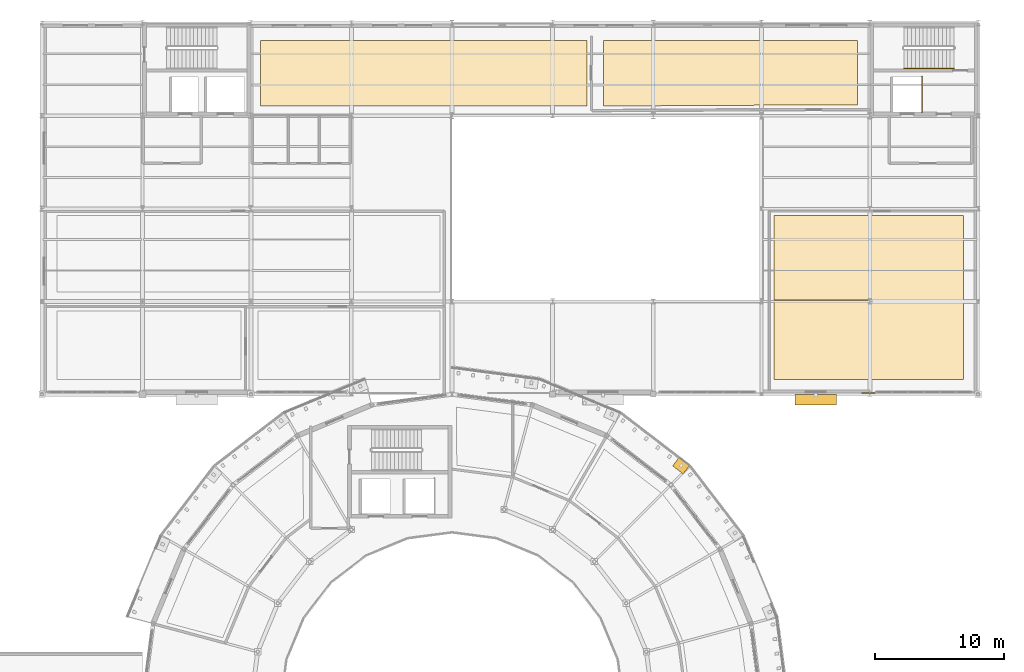
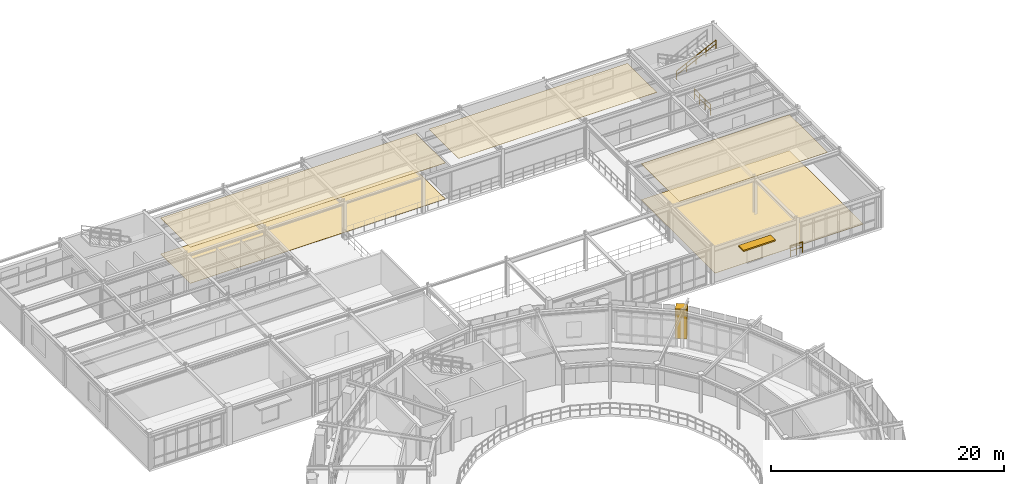
# One storey, part 69 of 70: 5 coverings, 3 railings, 2 shading devices.
"""IFC4 building model written with IfcOpenShell, lengths in metres."""

import ifcopenshell
import ifcopenshell.guid

model = None  # the IFC model being written
_history = None  # IfcOwnerHistory: only IFC2X3 demands one
_inside = {}  # id of a spatial element -> (the spatial element, [elements in it])
_under = {}  # id of a project, library or spatial element -> (it, [spatial elements below it])
_declared = {}  # id of a project -> (the project, [libraries it declares])
_typed = {}  # id of a type object -> (the type object, [elements of that type])
_made_of = {}  # id of a material, layer set ... -> (it, [elements and type objects made of it])


def new_model(schema):
    """Start an empty IFC model of exactly this schema.

    Asked for "IFC4X3", IfcOpenShell would pick the latest addendum, in which some entities
    have other attributes; the version numbers below select the first issue.
    IFC2X3 requires an IfcOwnerHistory on every rooted entity: one is made here for all.
    """
    global model, _history
    if schema == "IFC4X3":
        model = ifcopenshell.file(schema_version=(4, 3, 0, 0))
    else:
        model = ifcopenshell.file(schema=schema)
    _inside.clear()
    _under.clear()
    _declared.clear()
    _typed.clear()
    _made_of.clear()
    _history = None
    if model.schema == "IFC2X3":
        org = make("IfcOrganization", Name="unknown")
        user = make(
            "IfcPersonAndOrganization",
            ThePerson=make("IfcPerson", FamilyName="unknown"),
            TheOrganization=org,
        )
        app = make(
            "IfcApplication",
            ApplicationDeveloper=org,
            Version="unknown",
            ApplicationFullName="unknown",
            ApplicationIdentifier="unknown",
        )
        _history = make(
            "IfcOwnerHistory",
            OwningUser=user,
            OwningApplication=app,
            ChangeAction="ADDED",
            CreationDate=0,
        )
    return model


def make(cls, **values):
    """One entity of the class cls with the attributes given. An attribute that is None is left unset."""
    return model.create_entity(
        cls, **{name: value for name, value in values.items() if value is not None}
    )


def rooted(cls, **values):
    """An entity with a GlobalId (a new one), such as an element, a storey or a relation."""
    return make(cls, GlobalId=ifcopenshell.guid.new(), OwnerHistory=_history, **values)


def si_unit(unit_type, name, prefix=None):
    """IfcSIUnit, for example si_unit("LENGTHUNIT", "METRE", prefix="MILLI")."""
    return make("IfcSIUnit", UnitType=unit_type, Prefix=prefix, Name=name)


def derived_unit(unit_type, elements):
    """IfcDerivedUnit: a product of units, each with its exponent."""
    return make(
        "IfcDerivedUnit",
        Elements=[
            make("IfcDerivedUnitElement", Unit=unit, Exponent=power)
            for unit, power in elements
        ],
        UnitType=unit_type,
    )


def assignment(units):
    """IfcUnitAssignment: the units of a project."""
    return None if units is None else make("IfcUnitAssignment", Units=units)


def point(xyz):
    """IfcCartesianPoint."""
    return None if xyz is None else make("IfcCartesianPoint", Coordinates=xyz)


def direction(xyz):
    """IfcDirection."""
    return None if xyz is None else make("IfcDirection", DirectionRatios=xyz)


def frame(location, z_axis=None, x_axis=None):
    """IfcAxis2Placement3D, a coordinate frame: its origin and axes. An axis left out is left unset."""
    return make(
        "IfcAxis2Placement3D",
        Location=point(location),
        Axis=direction(z_axis),
        RefDirection=direction(x_axis),
    )


def frame_2d(location, x_axis=None):
    """IfcAxis2Placement2D, a coordinate frame in the plane: its origin and x axis."""
    return make(
        "IfcAxis2Placement2D", Location=point(location), RefDirection=direction(x_axis)
    )


def origin():
    """The frame at (0, 0, 0) with its axes left unset."""
    return frame((0.0, 0.0, 0.0))


def origin_2d():
    """The frame at (0, 0) in the plane with its x axis left unset."""
    return frame_2d((0.0, 0.0))


def place(relative_to, where):
    """IfcLocalPlacement: puts the frame where relative to a parent placement (None: the world)."""
    return make(
        "IfcLocalPlacement", PlacementRelTo=relative_to, RelativePlacement=where
    )


def context(
    kind, dimensions, precision=None, world=None, true_north=None, identifier=None
):
    """IfcGeometricRepresentationContext, for example the 3D "Model" context."""
    return make(
        "IfcGeometricRepresentationContext",
        ContextIdentifier=identifier,
        ContextType=kind,
        CoordinateSpaceDimension=dimensions,
        Precision=precision,
        WorldCoordinateSystem=world,
        TrueNorth=true_north,
    )


def subcontext(parent, identifier, kind, view, scale=None):
    """IfcGeometricRepresentationSubContext, for example "Body" below "Model"."""
    return make(
        "IfcGeometricRepresentationSubContext",
        ContextIdentifier=identifier,
        ContextType=kind,
        ParentContext=parent,
        TargetScale=scale,
        TargetView=view,
    )


def project(units=None, contexts=None):
    """IfcProject with its units and contexts."""
    return rooted(
        "IfcProject",
        Name="project",
        RepresentationContexts=contexts,
        UnitsInContext=assignment(units),
    )


def spatial(cls, under=None, at=None, **own):
    """A site, building, storey or space (cls), placed at a placement, below another one or the project."""
    s = rooted(cls, ObjectPlacement=at, **own)
    if under is not None:
        _under.setdefault(under.id(), (under, []))[1].append(s)
    return s


def polyline(points):
    """IfcPolyline through the points."""
    return make("IfcPolyline", Points=[point(p) for p in points])


def profile(cls, at=None, kind="AREA", **sizes):
    """A parametric profile (cls). Its sizes go by their IFC names, for example OverallWidth=200.0."""
    return make(cls, ProfileType=kind, Position=at, **sizes)


def rectangle(**sizes):
    """IfcRectangleProfileDef."""
    return profile("IfcRectangleProfileDef", **sizes)


def circle(**sizes):
    """IfcCircleProfileDef."""
    return profile("IfcCircleProfileDef", **sizes)


def outline(outer, holes=None, kind="AREA"):
    """IfcArbitraryClosedProfileDef: a profile drawn as a closed curve; with holes, ...WithVoids."""
    if holes is None:
        return make("IfcArbitraryClosedProfileDef", ProfileType=kind, OuterCurve=outer)
    return make(
        "IfcArbitraryProfileDefWithVoids",
        ProfileType=kind,
        OuterCurve=outer,
        InnerCurves=holes,
    )


def extrude(swept, where, along, depth):
    """IfcExtrudedAreaSolid: the profile swept, set in the frame where, extruded along a direction by depth."""
    return make(
        "IfcExtrudedAreaSolid",
        SweptArea=swept,
        Position=where,
        ExtrudedDirection=direction(along),
        Depth=depth,
    )


def shape(context_of_items, identifier, shape_type, items):
    """IfcShapeRepresentation: the items that make up one representation, for example the "Body"."""
    return make(
        "IfcShapeRepresentation",
        ContextOfItems=context_of_items,
        RepresentationIdentifier=identifier,
        RepresentationType=shape_type,
        Items=items,
    )


def material(Name=None, Category=None):
    """IfcMaterial."""
    return make("IfcMaterial", Name=Name, Category=Category)


def layer(
    of_material, thickness, ventilated=None, Name=None, Category=None, Priority=None
):
    """IfcMaterialLayer: one layer of a wall or slab, of a material (None: an air gap)."""
    return make(
        "IfcMaterialLayer",
        Material=of_material,
        LayerThickness=thickness,
        IsVentilated=ventilated,
        Name=Name,
        Category=Category,
        Priority=Priority,
    )


def layer_set(layers, Name=None):
    """IfcMaterialLayerSet."""
    return make("IfcMaterialLayerSet", MaterialLayers=layers, LayerSetName=Name)


def made_of(thing, what):
    """Note that an element or type object is made of a material, layer set ...; save() writes the relation."""
    if what is not None:
        _made_of.setdefault(what.id(), (what, []))[1].append(thing)
    return thing


def type_object(cls, material=None, **own):
    """A type object (cls), such as IfcWallType, which elements share."""
    return made_of(rooted(cls, **own), material)


def element(
    cls,
    number,
    at=None,
    inside=None,
    cuts=None,
    type_object=None,
    material=None,
    context=None,
    identifier="Body",
    shape_type=None,
    held_by="IfcProductDefinitionShape",
    body=None,
    shapes=None,
    **own,
):
    """One element of the class cls, such as IfcWall. Its Tag is "e" and its number.

    at: its placement. inside: the storey or other place that contains it. cuts: it is an
    opening in that element (IfcRelVoidsElement). A single representation is given by context,
    identifier, shape_type and body (its items); several are given by shapes. held_by: the class
    of the entity that holds the representations. save() writes the other relations.
    """
    e = rooted(cls, Tag="e%d" % number, ObjectPlacement=at, **own)
    if body is not None:
        shapes = [shape(context, identifier, shape_type, body)]
    if shapes is not None:
        e.Representation = make(held_by, Representations=shapes)
    if inside is not None:
        _inside.setdefault(inside.id(), (inside, []))[1].append(e)
    if cuts is not None:
        rooted(
            "IfcRelVoidsElement", RelatingBuildingElement=cuts, RelatedOpeningElement=e
        )
    if type_object is not None:
        _typed.setdefault(type_object.id(), (type_object, []))[1].append(e)
    return made_of(e, material)


def aggregate(whole, parts):
    """IfcRelAggregates: a whole, such as a stair, and the parts it consists of."""
    return rooted("IfcRelAggregates", RelatingObject=whole, RelatedObjects=parts)


def save(model, path):
    """Write the relations noted so far, then the file.

    IfcRelAggregates (storeys below a building ...), IfcRelContainedInSpatialStructure (elements
    in a storey), IfcRelDefinesByType, IfcRelAssociatesMaterial and IfcRelDeclares: one each for
    every whole, place, type object, material and project.
    """
    for whole, parts in _under.values():
        aggregate(whole, parts)
    for where, things in _inside.values():
        rooted(
            "IfcRelContainedInSpatialStructure",
            RelatedElements=things,
            RelatingStructure=where,
        )
    for kind, things in _typed.values():
        rooted("IfcRelDefinesByType", RelatedObjects=things, RelatingType=kind)
    for what, things in _made_of.values():
        rooted("IfcRelAssociatesMaterial", RelatedObjects=things, RelatingMaterial=what)
    for by, libraries in _declared.values():
        rooted("IfcRelDeclares", RelatingContext=by, RelatedDefinitions=libraries)
    model.write(path)


model = new_model("IFC4")

# Units and contexts
model_context = context("Model", 3, precision=1e-05, world=origin(), true_north=direction((0.0, 1.0)))
body_context = subcontext(model_context, "Body", "Model", "MODEL_VIEW")
ifc_project = project(units=[si_unit("LENGTHUNIT", "METRE"), si_unit("AREAUNIT", "SQUARE_METRE"), si_unit("VOLUMEUNIT", "CUBIC_METRE"), si_unit("PLANEANGLEUNIT", "RADIAN"), si_unit("MASSUNIT", "GRAM", prefix="KILO"), derived_unit("THERMALTRANSMITTANCEUNIT", [(si_unit("POWERUNIT", "WATT"), 1), (si_unit("AREAUNIT", "SQUARE_METRE"), -1), (si_unit("THERMODYNAMICTEMPERATUREUNIT", "KELVIN"), -1)])], contexts=[model_context])

# Site, building, storey
site_placement = place(None, origin())
site = spatial("IfcSite", under=ifc_project, at=site_placement, CompositionType="ELEMENT")
building_placement = place(site_placement, origin())
building = spatial("IfcBuilding", under=site, at=building_placement, Name="Yasenodar Specialist Clinic", CompositionType="ELEMENT")
storey_placement = place(building_placement, frame((0.0, 0.0, 13.199951171875)))
storey = spatial("IfcBuildingStorey", under=building, at=storey_placement, Name="L03", CompositionType="ELEMENT", Elevation=13.199951171875)

# Coverings
ifc_material_1 = material(Name="Hygienic Acoustic Mineral-Fibre Ceiling")
ifc_layer_1 = layer(ifc_material_1, 0.02490234375)
ifc_layer_set_1 = layer_set([ifc_layer_1], Name="Hygienic Acoustic Mineral-Fibre Ceiling")
covering_type_1 = type_object("IfcCoveringType", Name="COV-CEIL-AC", PredefinedType="CEILING", material=ifc_layer_set_1)
covering_1_placement = place(storey_placement, frame((0.0, 0.0, 3.775146484375)))
element("IfcCovering", 1, at=covering_1_placement, inside=storey, type_object=covering_type_1, Name="L03 Clinical Microbiology Laboratory Acoustic Ceiling", PredefinedType="CEILING", context=body_context, shape_type="SweptSolid", body=[
    extrude(outline(polyline([(91.449951171875, 105.14990234375), (66.14990234375, 105.14990234375), (66.14990234375, 110.25), (91.449951171875, 110.25), (91.449951171875, 105.14990234375)])), origin(), (0.0, 0.0, 1.0), 0.02490234375),
])
covering_2_placement = place(storey_placement, frame((0.0, 0.0, 3.775146484375)))
element("IfcCovering", 2, at=covering_2_placement, inside=storey, type_object=covering_type_1, Name="L03 PCR Molecular Diagnostics Laboratory Acoustic Ceiling", PredefinedType="CEILING", context=body_context, shape_type="SweptSolid", body=[
    extrude(outline(polyline([(112.449951171875, 110.25), (112.449951171875, 105.219970703125), (105.3798828125, 105.219970703125), (105.3779296875, 105.219970703125), (92.75, 105.152099609375), (92.75, 110.25), (112.449951171875, 110.25)])), origin(), (0.0, 0.0, 1.0), 0.02490234375),
])
covering_3_placement = place(storey_placement, frame((0.0, 0.0, 3.775146484375)))
element("IfcCovering", 3, at=covering_3_placement, inside=storey, type_object=covering_type_1, Name="L03 Laboratory Reagent Cold Store Acoustic Ceiling", PredefinedType="CEILING", context=body_context, shape_type="SweptSolid", body=[
    extrude(outline(polyline([(120.64990234375, 90.10009765625), (105.949951171875, 90.10009765625), (105.949951171875, 96.64990234375), (120.64990234375, 96.64990234375), (120.64990234375, 90.10009765625)])), origin(), (0.0, 0.0, 1.0), 0.02490234375),
])
ifc_material_2 = material(Name="Seamless Epoxy Terrazzo Clinical Flooring")
ifc_layer_2 = layer(ifc_material_2, 0.02001953125)
ifc_layer_set_2 = layer_set([ifc_layer_2], Name="Seamless Epoxy Terrazzo Clinical Flooring")
covering_type_2 = type_object("IfcCoveringType", Name="COV-FLR-TERR", PredefinedType="FLOORING", material=ifc_layer_set_2)
covering_4_placement = place(storey_placement, origin())
element("IfcCovering", 4, at=covering_4_placement, inside=storey, type_object=covering_type_2, Name="L03 Clinical Microbiology Laboratory Terrazzo Flooring", PredefinedType="FLOORING", context=body_context, shape_type="SweptSolid", body=[
    extrude(outline(polyline([(91.449951171875, 105.14990234375), (66.14990234375, 105.14990234375), (66.14990234375, 110.25), (91.449951171875, 110.25), (91.449951171875, 105.14990234375)])), origin(), (0.0, 0.0, 1.0), 0.02001953125),
])
covering_5_placement = place(storey_placement, origin())
element("IfcCovering", 5, at=covering_5_placement, inside=storey, type_object=covering_type_2, Name="L03 Laboratory Reagent Cold Store Terrazzo Flooring", PredefinedType="FLOORING", context=body_context, shape_type="SweptSolid", body=[
    extrude(outline(polyline([(120.64990234375, 83.949951171875), (105.949951171875, 83.949951171875), (105.949951171875, 96.64990234375), (120.64990234375, 96.64990234375), (120.64990234375, 83.949951171875)])), origin(), (0.0, 0.0, 1.0), 0.02001953125),
])

# Railings
ifc_material_3 = material(Name="Steel S355 Painted Guardrail", Category="steel")
railing_type_1 = type_object("IfcRailingType", Name="RL-GRD-1120", PredefinedType="GUARDRAIL", material=ifc_material_3)
railing_1_placement = place(storey_placement, frame((117.449951171875, 104.64990234375, 0.0)))
element("IfcRailing", 6, at=railing_1_placement, inside=storey, type_object=railing_type_1, Name="L03 Core C5 Lift LF-08 Shaft Guardrail", PredefinedType="GUARDRAIL", context=body_context, shape_type="SweptSolid", body=[
    extrude(circle(Radius=0.02392578125, at=origin_2d()), frame((0.0, 0.0, 1.09619140625), z_axis=(0.0, 1.0, 0.0), x_axis=(-1.0, 0.0, 0.0)), (0.0, 0.0, 1.0), 2.800048828125),
    extrude(circle(Radius=0.02392578125, at=origin_2d()), frame((0.0, 0.0, 0.58251953125), z_axis=(0.0, 1.0, 0.0), x_axis=(-1.0, 0.0, 0.0)), (0.0, 0.0, 1.0), 2.800048828125),
    extrude(circle(Radius=0.02099609375, at=origin_2d()), origin(), (0.0, 0.0, 1.0), 1.072021484375),
    extrude(circle(Radius=0.02099609375, at=origin_2d()), frame((0.0, 0.933349609375, 0.0)), (0.0, 0.0, 1.0), 1.072021484375),
    extrude(circle(Radius=0.02099609375, at=origin_2d()), frame((0.0, 1.86669921875, 0.0)), (0.0, 0.0, 1.0), 1.072021484375),
    extrude(circle(Radius=0.02099609375, at=origin_2d()), frame((0.0, 2.800048828125, 0.0)), (0.0, 0.0, 1.0), 1.072021484375),
])
railing_2_placement = place(storey_placement, frame((112.800048828125, 82.89990234375, 0.0)))
element("IfcRailing", 7, at=railing_2_placement, inside=storey, type_object=railing_type_1, Name="L03 V5 South Mullion Closure Guardrail", PredefinedType="GUARDRAIL", context=body_context, shape_type="SweptSolid", body=[
    extrude(circle(Radius=0.02392578125, at=origin_2d()), frame((0.0, 0.0, 1.09619140625), z_axis=(1.0, 0.0, 0.0), x_axis=(0.0, 1.0, 0.0)), (0.0, 0.0, 1.0), 1.199951171875),
    extrude(circle(Radius=0.02392578125, at=origin_2d()), frame((0.0, 0.0, 0.58251953125), z_axis=(1.0, 0.0, 0.0), x_axis=(0.0, 1.0, 0.0)), (0.0, 0.0, 1.0), 1.199951171875),
    extrude(circle(Radius=0.02099609375, at=origin_2d()), origin(), (0.0, 0.0, 1.0), 1.072021484375),
    extrude(circle(Radius=0.02099609375, at=origin_2d()), frame((0.60009765625, 0.0, 0.0)), (0.0, 0.0, 1.0), 1.072021484375),
    extrude(circle(Radius=0.02099609375, at=origin_2d()), frame((1.199951171875, 0.0, 0.0)), (0.0, 0.0, 1.0), 1.072021484375),
])
ifc_material_4 = material(Name="Brushed Stainless Steel Handrail", Category="steel")
railing_type_2 = type_object("IfcRailingType", Name="RL-ST-HND", PredefinedType="HANDRAIL", material=ifc_material_4)
railing_3_placement = place(storey_placement, frame((116.030029296875, 108.06005859375, 2.169677734375)))
element("IfcRailing", 8, at=railing_3_placement, inside=storey, type_object=railing_type_2, Name="L03 ST-05 stair handrail 2", PredefinedType="HANDRAIL", context=body_context, shape_type="SweptSolid", body=[
    extrude(circle(Radius=0.02392578125, at=origin_2d()), frame((0.0, 0.0, 0.8759765625), z_axis=(0.900763166376, 0.0, 0.434310623978), x_axis=(0.0, 1.0, 0.0)), (0.0, 0.0, 1.0), 4.32958984375),
    extrude(circle(Radius=0.02392578125, at=origin_2d()), frame((0.0, 0.0, 0.468017578125), z_axis=(0.900763166376, 0.0, 0.434310623978), x_axis=(0.0, 1.0, 0.0)), (0.0, 0.0, 1.0), 4.32958984375),
    extrude(circle(Radius=0.02099609375, at=origin_2d()), origin(), (0.0, 0.0, 1.0), 0.851806640625),
    extrude(circle(Radius=0.02099609375, at=origin_2d()), frame((0.97509765625, 0.0, 0.47021484375)), (0.0, 0.0, 1.0), 0.851806640625),
    extrude(circle(Radius=0.02099609375, at=origin_2d()), frame((1.949951171875, 0.0, 0.940185546875)), (0.0, 0.0, 1.0), 0.851806640625),
    extrude(circle(Radius=0.02099609375, at=origin_2d()), frame((2.9248046875, 0.0, 1.41015625)), (0.0, 0.0, 1.0), 0.851806640625),
    extrude(circle(Radius=0.02099609375, at=origin_2d()), frame((3.89990234375, 0.0, 1.88037109375)), (0.0, 0.0, 1.0), 0.851806640625),
])

# Shading devices
ifc_material_5 = material(Name="Bronze Anodized Aluminium Chhajja Sunshade", Category="aluminium")
shading_device_type_1 = type_object("IfcShadingDeviceType", Name="SHD-CHHAJJA-850", PredefinedType="JALOUSIE", material=ifc_material_5)
shading_device_1_placement = place(storey_placement, frame((109.199951171875, 82.3798828125, 2.89794921875), z_axis=(0.0, 0.0, 1.0), x_axis=(-1.0, 0.0, 0.0)))
element("IfcShadingDevice", 9, at=shading_device_1_placement, inside=storey, type_object=shading_device_type_1, Name="L03 Chhajja Solar Overhang 455", PredefinedType="JALOUSIE", context=body_context, shape_type="SweptSolid", body=[
    extrude(rectangle(XDim=3.199951171875, YDim=0.85009765625, at=origin_2d()), origin(), (0.0, 0.0, 1.0), 0.139892578125),
])
ifc_material_6 = material(Name="Thermally Modified Larch and Bronze Girih Jali Shutter")
shading_device_type_2 = type_object("IfcShadingDeviceType", Name="SHD-JALI-850", PredefinedType="SHUTTER", material=ifc_material_6)
shading_device_2_placement = place(storey_placement, frame((98.76953125, 77.276611328125, -0.0048828125), z_axis=(0.0, 0.0, 1.0), x_axis=(-0.793351200869, 0.608764217148, 0.0)))
element("IfcShadingDevice", 10, at=shading_device_2_placement, inside=storey, type_object=shading_device_type_2, Name="L03 Mughal Girih Jali Sliding Shutter Frame 0232", PredefinedType="SHUTTER", context=body_context, shape_type="SweptSolid", body=[
    extrude(rectangle(XDim=1.02001953125, YDim=0.85009765625, at=origin_2d()), origin(), (0.0, 0.0, 1.0), 3.10009765625),
])

save(model, "model.ifc")
